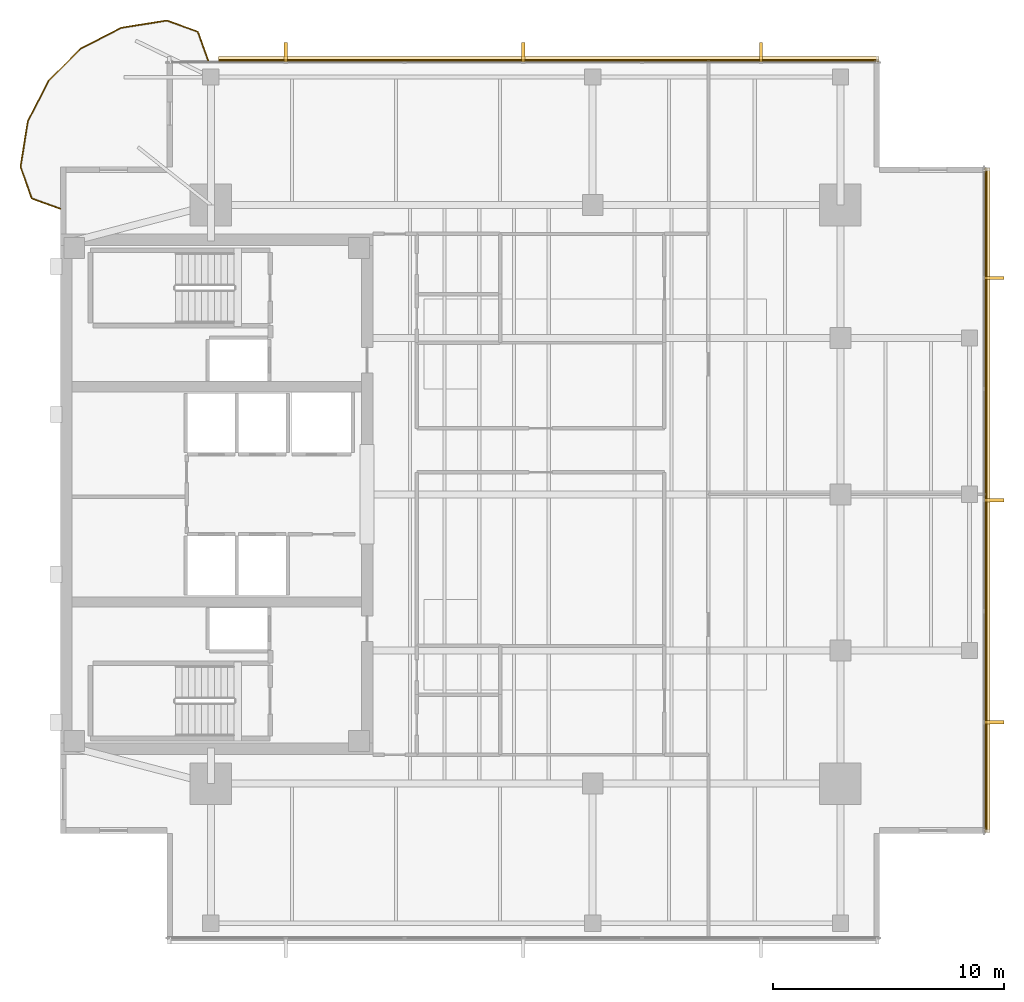
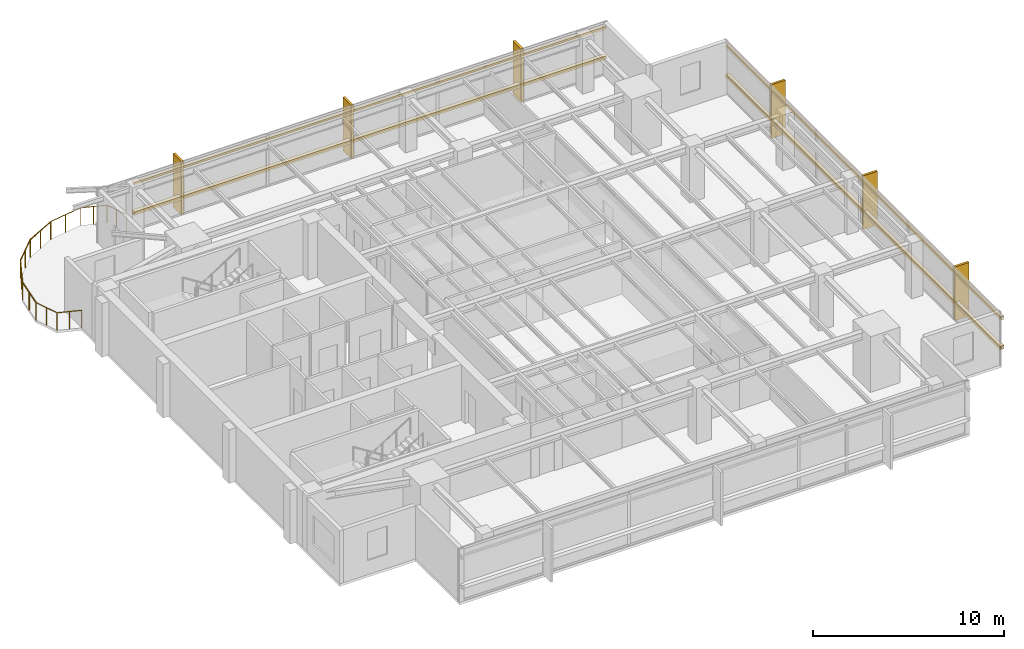
# One storey, part 14 of 14: 10 coverings, 9 railings, 4 shading devices.
"""IFC4 building model written with IfcOpenShell, lengths in metres."""

from ifc_helpers import new_model, si_unit, direction, frame, origin, origin_2d, place, context, subcontext, project, spatial, polyline, rectangle, circle, outline, extrude, material, layer, layer_set, material_profile, profile_set, type_object, element, save


model = new_model("IFC4")

# Units and contexts
model_context = context("Model", 3, precision=1e-05, world=origin(), true_north=direction((0.0, 1.0)))
body_context = subcontext(model_context, "Body", "Model", "MODEL_VIEW")
ifc_project = project(units=[si_unit("LENGTHUNIT", "METRE"), si_unit("AREAUNIT", "SQUARE_METRE"), si_unit("VOLUMEUNIT", "CUBIC_METRE"), si_unit("PLANEANGLEUNIT", "RADIAN"), si_unit("MASSUNIT", "GRAM", prefix="KILO")], contexts=[model_context])

# Site, building, storey
site_placement = place(None, origin())
site = spatial("IfcSite", under=ifc_project, at=site_placement, CompositionType="ELEMENT")
building_placement = place(site_placement, origin())
building = spatial("IfcBuilding", under=site, at=building_placement, Name="Kinhvarn Gate Tower", CompositionType="ELEMENT")
storey_placement = place(building_placement, frame((0.0, 0.0, 259.89990234375)))
storey = spatial("IfcBuildingStorey", under=building, at=storey_placement, Name="L69", CompositionType="ELEMENT", Elevation=259.89990234375)

# Coverings
ifc_material_1 = material(Name="Fired architectural terracotta", Category="masonry")
ifc_layer_1 = layer(ifc_material_1, 0.239990234375)
ifc_layer_set_1 = layer_set([ifc_layer_1], Name="Fired architectural terracotta")
covering_type_1 = type_object("IfcCoveringType", Name="COV-BAG-220", PredefinedType="CLADDING", material=ifc_layer_set_1)
for number, where, name in (
    (1, (0.0, 0.0, 0.940185546875), "Terracotta Horizontal Sunscreen Band TBG-220 (L69)"),
    (2, (0.0, 0.0, 2.830078125), "Terracotta Horizontal Sunscreen Band TBG-220 (L69)"),
):
    element("IfcCovering", number, at=place(storey_placement, frame(where)), inside=storey, type_object=covering_type_1, Name=name, PredefinedType="CLADDING", context=body_context, shape_type="SweptSolid", body=[
        extrude(outline(polyline([(39.860107421875, 43.929931640625), (11.3359375, 43.929931640625), (11.3359375, 44.169921875), (39.860107421875, 44.169921875), (39.860107421875, 43.929931640625)])), origin(), (0.0, 0.0, 1.0), 0.219970703125),
    ])
for number, where, name in (
    (3, (0.0, 0.0, 0.940185546875), "Terracotta Horizontal Sunscreen Band TBG-220 (L69)"),
    (4, (0.0, 0.0, 2.830078125), "Terracotta Horizontal Sunscreen Band TBG-220 (L69)"),
):
    element("IfcCovering", number, at=place(storey_placement, frame(where)), inside=storey, type_object=covering_type_1, Name=name, PredefinedType="CLADDING", context=body_context, shape_type="SweptSolid", body=[
        extrude(outline(polyline([(44.429931640625, 10.639892578125), (44.429931640625, 39.360107421875), (44.669921875, 39.360107421875), (44.669921875, 10.639892578125), (44.429931640625, 10.639892578125)])), origin(), (0.0, 0.0, 1.0), 0.219970703125),
    ])
ifc_layer_2 = layer(ifc_material_1, 0.139892578125)
ifc_layer_set_2 = layer_set([ifc_layer_2], Name="Fired architectural terracotta")
covering_type_2 = type_object("IfcCoveringType", Name="COV-FIN-850", PredefinedType="CLADDING", material=ifc_layer_set_2)
covering_1_placement = place(storey_placement, frame((0.0, 0.0, -0.02001953125)))
element("IfcCovering", 5, at=covering_1_placement, inside=storey, type_object=covering_type_2, Name="Vertical Terracotta Expressive Fin TFN-850 (L69)", PredefinedType="CLADDING", context=body_context, shape_type="SweptSolid", body=[
    extrude(outline(polyline([(34.836669921875, 43.919921875), (34.69677734375, 43.919921875), (34.69677734375, 44.77001953125), (34.836669921875, 44.77001953125), (34.836669921875, 43.919921875)])), origin(), (0.0, 0.0, 1.0), 3.43017578125),
])
covering_2_placement = place(storey_placement, frame((0.0, 0.0, -0.02001953125)))
element("IfcCovering", 6, at=covering_2_placement, inside=storey, type_object=covering_type_2, Name="Vertical Terracotta Expressive Fin TFN-850 (L69)", PredefinedType="CLADDING", context=body_context, shape_type="SweptSolid", body=[
    extrude(outline(polyline([(24.570068359375, 43.919921875), (24.429931640625, 43.919921875), (24.429931640625, 44.77001953125), (24.570068359375, 44.77001953125), (24.570068359375, 43.919921875)])), origin(), (0.0, 0.0, 1.0), 3.43017578125),
])
covering_3_placement = place(storey_placement, frame((0.0, 0.0, -0.02001953125)))
element("IfcCovering", 7, at=covering_3_placement, inside=storey, type_object=covering_type_2, Name="Vertical Terracotta Expressive Fin TFN-850 (L69)", PredefinedType="CLADDING", context=body_context, shape_type="SweptSolid", body=[
    extrude(outline(polyline([(14.30322265625, 43.919921875), (14.163330078125, 43.919921875), (14.163330078125, 44.77001953125), (14.30322265625, 44.77001953125), (14.30322265625, 43.919921875)])), origin(), (0.0, 0.0, 1.0), 3.43017578125),
])
covering_4_placement = place(storey_placement, frame((0.0, 0.0, -0.02001953125)))
element("IfcCovering", 8, at=covering_4_placement, inside=storey, type_object=covering_type_2, Name="Vertical Terracotta Expressive Fin TFN-850 (L69)", PredefinedType="CLADDING", context=body_context, shape_type="SweptSolid", body=[
    extrude(outline(polyline([(44.419921875, 15.330078125), (44.419921875, 15.469970703125), (45.27001953125, 15.469970703125), (45.27001953125, 15.330078125), (44.419921875, 15.330078125)])), origin(), (0.0, 0.0, 1.0), 3.43017578125),
])
covering_5_placement = place(storey_placement, frame((0.0, 0.0, -0.02001953125)))
element("IfcCovering", 9, at=covering_5_placement, inside=storey, type_object=covering_type_2, Name="Vertical Terracotta Expressive Fin TFN-850 (L69)", PredefinedType="CLADDING", context=body_context, shape_type="SweptSolid", body=[
    extrude(outline(polyline([(44.419921875, 24.929931640625), (44.419921875, 25.070068359375), (45.27001953125, 25.070068359375), (45.27001953125, 24.929931640625), (44.419921875, 24.929931640625)])), origin(), (0.0, 0.0, 1.0), 3.43017578125),
])
covering_6_placement = place(storey_placement, frame((0.0, 0.0, -0.02001953125)))
element("IfcCovering", 10, at=covering_6_placement, inside=storey, type_object=covering_type_2, Name="Vertical Terracotta Expressive Fin TFN-850 (L69)", PredefinedType="CLADDING", context=body_context, shape_type="SweptSolid", body=[
    extrude(outline(polyline([(44.419921875, 34.530029296875), (44.419921875, 34.669921875), (45.27001953125, 34.669921875), (45.27001953125, 34.530029296875), (44.419921875, 34.530029296875)])), origin(), (0.0, 0.0, 1.0), 3.43017578125),
])

# Railings
ifc_material_2 = material(Name="Clear low-e double glazing", Category="glass")
railing_type = type_object("IfcRailingType", Name="RL-BAL-1150", PredefinedType="BALUSTRADE", material=ifc_material_2)
railing_1_placement = place(storey_placement, frame((10.885986328125, 44.0, 0.0)))
element("IfcRailing", 11, at=railing_1_placement, inside=storey, type_object=railing_type, Name="S-Carve Balcony Guardrail Seg 1 (L69)", PredefinedType="BALUSTRADE", context=body_context, shape_type="SweptSolid", body=[
    extrude(circle(Radius=0.02392578125, at=origin_2d()), frame((0.0, 0.0, 1.1259765625), z_axis=(-0.341341518849, 0.939939342463, 0.0), x_axis=(-0.939939342463, -0.341341518849, 0.0)), (0.0, 0.0, 1.0), 1.318115234375),
    extrude(circle(Radius=0.02099609375, at=origin_2d()), origin(), (0.0, 0.0, 1.0), 1.101806640625),
    extrude(circle(Radius=0.02099609375, at=origin_2d()), frame((-0.22509765625, 0.61962890625, 0.0)), (0.0, 0.0, 1.0), 1.101806640625),
    extrude(circle(Radius=0.02099609375, at=origin_2d()), frame((-0.449951171875, 1.239013671875, 0.0)), (0.0, 0.0, 1.0), 1.101806640625),
])
railing_2_placement = place(storey_placement, frame((10.43603515625, 45.239013671875, 0.0)))
element("IfcRailing", 12, at=railing_2_placement, inside=storey, type_object=railing_type, Name="S-Carve Balcony Guardrail Seg 2 (L69)", PredefinedType="BALUSTRADE", context=body_context, shape_type="SweptSolid", body=[
    extrude(circle(Radius=0.02392578125, at=origin_2d()), frame((0.0, 0.0, 1.1259765625), z_axis=(-0.940663681913, 0.339340297532, 0.0), x_axis=(-0.339340297532, -0.940663681913, 0.0)), (0.0, 0.0, 1.0), 1.420166015625),
    extrude(circle(Radius=0.02099609375, at=origin_2d()), origin(), (0.0, 0.0, 1.0), 1.101806640625),
    extrude(circle(Radius=0.02099609375, at=origin_2d()), frame((-0.66796875, 0.240966796875, 0.0)), (0.0, 0.0, 1.0), 1.101806640625),
    extrude(circle(Radius=0.02099609375, at=origin_2d()), frame((-1.3359375, 0.48193359375, 0.0)), (0.0, 0.0, 1.0), 1.101806640625),
])
railing_3_placement = place(storey_placement, frame((9.10009765625, 45.720947265625, 0.0)))
element("IfcRailing", 13, at=railing_3_placement, inside=storey, type_object=railing_type, Name="S-Carve Balcony Guardrail Seg 3 (L69)", PredefinedType="BALUSTRADE", context=body_context, shape_type="SweptSolid", body=[
    extrude(circle(Radius=0.02392578125, at=origin_2d()), frame((0.0, 0.0, 1.1259765625), z_axis=(-0.987692801615, -0.156406296669, 0.0), x_axis=(0.156406296669, -0.987692801615, 0.0)), (0.0, 0.0, 1.0), 1.977783203125),
    extrude(circle(Radius=0.02099609375, at=origin_2d()), origin(), (0.0, 0.0, 1.0), 1.101806640625),
    extrude(circle(Radius=0.02099609375, at=origin_2d()), frame((-0.9765625, -0.15478515625, 0.0)), (0.0, 0.0, 1.0), 1.101806640625),
    extrude(circle(Radius=0.02099609375, at=origin_2d()), frame((-1.953369140625, -0.309326171875, 0.0)), (0.0, 0.0, 1.0), 1.101806640625),
])
railing_4_placement = place(storey_placement, frame((7.146728515625, 45.41162109375, 0.0)))
element("IfcRailing", 14, at=railing_4_placement, inside=storey, type_object=railing_type, Name="S-Carve Balcony Guardrail Seg 4 (L69)", PredefinedType="BALUSTRADE", context=body_context, shape_type="SweptSolid", body=[
    extrude(circle(Radius=0.02392578125, at=origin_2d()), frame((0.0, 0.0, 1.1259765625), z_axis=(-0.891044207217, -0.453916535043, 0.0), x_axis=(0.453916535043, -0.891044207217, 0.0)), (0.0, 0.0, 1.0), 1.977783203125),
    extrude(circle(Radius=0.02099609375, at=origin_2d()), origin(), (0.0, 0.0, 1.0), 1.101806640625),
    extrude(circle(Radius=0.02099609375, at=origin_2d()), frame((-0.881103515625, -0.44873046875, 0.0)), (0.0, 0.0, 1.0), 1.101806640625),
    extrude(circle(Radius=0.02099609375, at=origin_2d()), frame((-1.76220703125, -0.897705078125, 0.0)), (0.0, 0.0, 1.0), 1.101806640625),
])
railing_5_placement = place(storey_placement, frame((5.384521484375, 44.513916015625, 0.0)))
element("IfcRailing", 15, at=railing_5_placement, inside=storey, type_object=railing_type, Name="S-Carve Balcony Guardrail Seg 5 (L69)", PredefinedType="BALUSTRADE", context=body_context, shape_type="SweptSolid", body=[
    extrude(circle(Radius=0.02392578125, at=origin_2d()), frame((0.0, 0.0, 1.1259765625), z_axis=(-0.707106781187, -0.707106781187, 0.0), x_axis=(0.707106781187, -0.707106781187, 0.0)), (0.0, 0.0, 1.0), 1.977783203125),
    extrude(circle(Radius=0.02099609375, at=origin_2d()), origin(), (0.0, 0.0, 1.0), 1.101806640625),
    extrude(circle(Radius=0.02099609375, at=origin_2d()), frame((-0.69921875, -0.69921875, 0.0)), (0.0, 0.0, 1.0), 1.101806640625),
    extrude(circle(Radius=0.02099609375, at=origin_2d()), frame((-1.3984375, -1.3984375, 0.0)), (0.0, 0.0, 1.0), 1.101806640625),
])
railing_6_placement = place(storey_placement, frame((3.986083984375, 43.115478515625, 0.0)))
element("IfcRailing", 16, at=railing_6_placement, inside=storey, type_object=railing_type, Name="S-Carve Balcony Guardrail Seg 6 (L69)", PredefinedType="BALUSTRADE", context=body_context, shape_type="SweptSolid", body=[
    extrude(circle(Radius=0.02392578125, at=origin_2d()), frame((0.0, 0.0, 1.1259765625), z_axis=(-0.453916535043, -0.891044207217, 0.0), x_axis=(0.891044207217, -0.453916535043, 0.0)), (0.0, 0.0, 1.0), 1.977783203125),
    extrude(circle(Radius=0.02099609375, at=origin_2d()), origin(), (0.0, 0.0, 1.0), 1.101806640625),
    extrude(circle(Radius=0.02099609375, at=origin_2d()), frame((-0.44873046875, -0.881103515625, 0.0)), (0.0, 0.0, 1.0), 1.101806640625),
    extrude(circle(Radius=0.02099609375, at=origin_2d()), frame((-0.897705078125, -1.76220703125, 0.0)), (0.0, 0.0, 1.0), 1.101806640625),
])
railing_7_placement = place(storey_placement, frame((3.08837890625, 41.353271484375, 0.0)))
element("IfcRailing", 17, at=railing_7_placement, inside=storey, type_object=railing_type, Name="S-Carve Balcony Guardrail Seg 7 (L69)", PredefinedType="BALUSTRADE", context=body_context, shape_type="SweptSolid", body=[
    extrude(circle(Radius=0.02392578125, at=origin_2d()), frame((0.0, 0.0, 1.1259765625), z_axis=(-0.156406296669, -0.987692801615, 0.0), x_axis=(0.987692801615, -0.156406296669, 0.0)), (0.0, 0.0, 1.0), 1.977783203125),
    extrude(circle(Radius=0.02099609375, at=origin_2d()), origin(), (0.0, 0.0, 1.0), 1.101806640625),
    extrude(circle(Radius=0.02099609375, at=origin_2d()), frame((-0.15478515625, -0.9765625, 0.0)), (0.0, 0.0, 1.0), 1.101806640625),
    extrude(circle(Radius=0.02099609375, at=origin_2d()), frame((-0.309326171875, -1.953369140625, 0.0)), (0.0, 0.0, 1.0), 1.101806640625),
])
railing_8_placement = place(storey_placement, frame((2.779052734375, 39.39990234375, 0.0)))
element("IfcRailing", 18, at=railing_8_placement, inside=storey, type_object=railing_type, Name="S-Carve Balcony Guardrail Seg 8 (L69)", PredefinedType="BALUSTRADE", context=body_context, shape_type="SweptSolid", body=[
    extrude(circle(Radius=0.02392578125, at=origin_2d()), frame((0.0, 0.0, 1.1259765625), z_axis=(0.333403139329, -0.942784358528, 0.0), x_axis=(0.942784358528, 0.333403139329, 0.0)), (0.0, 0.0, 1.0), 1.445556640625),
    extrude(circle(Radius=0.02099609375, at=origin_2d()), origin(), (0.0, 0.0, 1.0), 1.101806640625),
    extrude(circle(Radius=0.02099609375, at=origin_2d()), frame((0.240966796875, -0.681396484375, 0.0)), (0.0, 0.0, 1.0), 1.101806640625),
    extrude(circle(Radius=0.02099609375, at=origin_2d()), frame((0.48193359375, -1.36279296875, 0.0)), (0.0, 0.0, 1.0), 1.101806640625),
])
railing_9_placement = place(storey_placement, frame((3.260986328125, 38.037109375, 0.0)))
element("IfcRailing", 19, at=railing_9_placement, inside=storey, type_object=railing_type, Name="S-Carve Balcony Guardrail Seg 9 (L69)", PredefinedType="BALUSTRADE", context=body_context, shape_type="SweptSolid", body=[
    extrude(circle(Radius=0.02392578125, at=origin_2d()), frame((0.0, 0.0, 1.1259765625), z_axis=(0.939879909232, -0.341505133522, 0.0), x_axis=(0.341505133522, 0.939879909232, 0.0)), (0.0, 0.0, 1.0), 1.318359375),
    extrude(circle(Radius=0.02099609375, at=origin_2d()), origin(), (0.0, 0.0, 1.0), 1.101806640625),
    extrude(circle(Radius=0.02099609375, at=origin_2d()), frame((0.61962890625, -0.22509765625, 0.0)), (0.0, 0.0, 1.0), 1.101806640625),
    extrude(circle(Radius=0.02099609375, at=origin_2d()), frame((1.239013671875, -0.4501953125, 0.0)), (0.0, 0.0, 1.0), 1.101806640625),
])

# Shading devices
ifc_material_profile = material_profile(ifc_material_1, rectangle(XDim=0.050048828125, YDim=0.1201171875, at=origin_2d()), Name="TC 50x120")
ifc_profile_set = profile_set([ifc_material_profile], Name="Fired architectural terracotta")
shading_device_type = type_object("IfcShadingDeviceType", Name="SHD-BAG-140", PredefinedType="USERDEFINED", material=ifc_profile_set)
for number, where, z_axis, x_axis, name in (
    (20, (39.860107421875, 44.0, 1.050048828125), (-1.0, 0.0, 0.0), (0.0, -1.0, 0.0), "Upper Tower Terracotta Baguette Screen Rod 50x120 mm (L69)"),
    (21, (39.860107421875, 44.0, 2.940185546875), (-1.0, 0.0, 0.0), (0.0, -1.0, 0.0), "Upper Tower Terracotta Baguette Screen Rod 50x120 mm (L69)"),
):
    element("IfcShadingDevice", number, at=place(storey_placement, frame(where, z_axis=z_axis, x_axis=x_axis)), inside=storey, type_object=shading_device_type, Name=name, ObjectType="BAGUETTE", PredefinedType="USERDEFINED", context=body_context, shape_type="SweptSolid", body=[
        extrude(rectangle(XDim=0.050048828125, YDim=0.1201171875, at=origin_2d()), origin(), (0.0, 0.0, 1.0), 28.524169921875),
    ])
for number, where, z_axis, x_axis, name in (
    (22, (44.5, 10.639892578125, 1.050048828125), (0.0, 1.0, 0.0), (-1.0, 0.0, 0.0), "Upper Tower Terracotta Baguette Screen Rod 50x120 mm (L69)"),
    (23, (44.5, 10.639892578125, 2.940185546875), (0.0, 1.0, 0.0), (-1.0, 0.0, 0.0), "Upper Tower Terracotta Baguette Screen Rod 50x120 mm (L69)"),
):
    element("IfcShadingDevice", number, at=place(storey_placement, frame(where, z_axis=z_axis, x_axis=x_axis)), inside=storey, type_object=shading_device_type, Name=name, ObjectType="BAGUETTE", PredefinedType="USERDEFINED", context=body_context, shape_type="SweptSolid", body=[
        extrude(rectangle(XDim=0.050048828125, YDim=0.1201171875, at=origin_2d()), origin(), (0.0, 0.0, 1.0), 28.72021484375),
    ])

save(model, "model.ifc")
